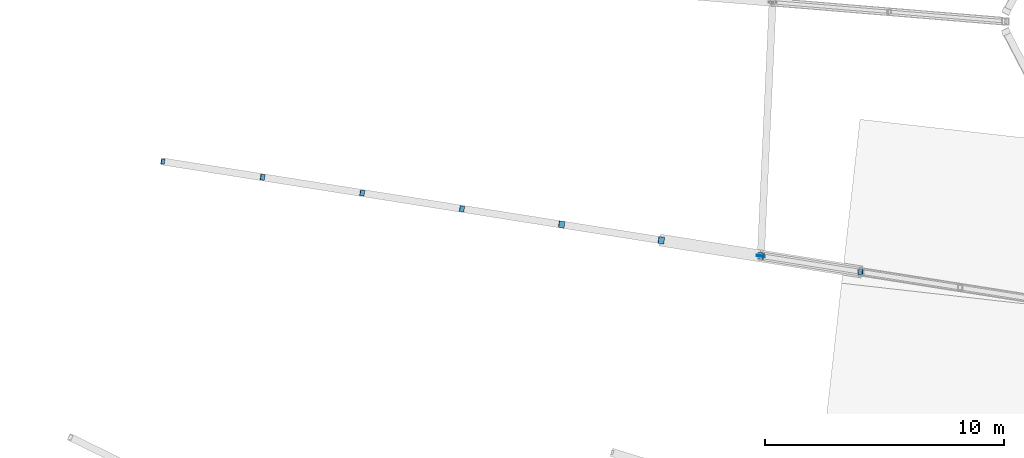
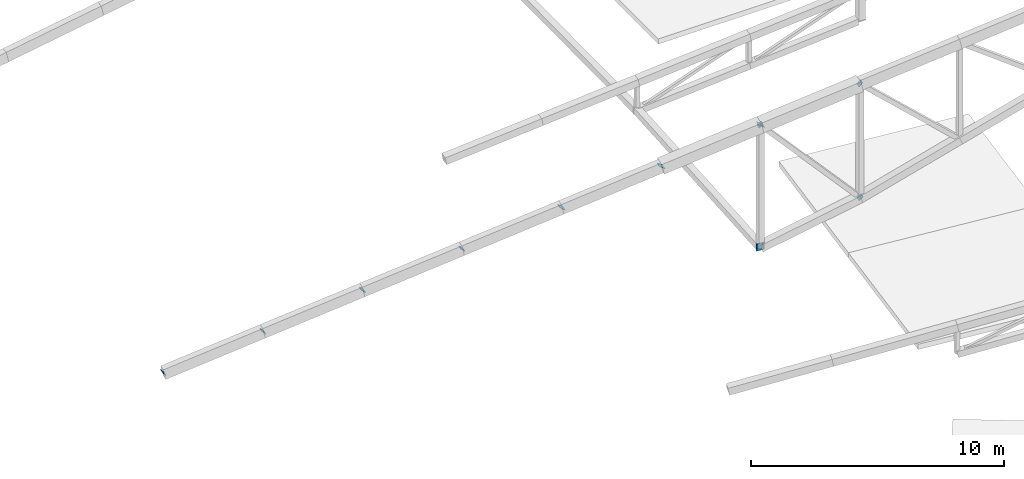
# One storey, part 146 of 188: 12 discrete accessories.
"""IFC4 building model written with IfcOpenShell, lengths in metres."""

from ifc_helpers import new_model, si_unit, direction, frame, origin, origin_2d, place, context, subcontext, project, spatial, rectangle, extrude, material, material_profile, profile_set, type_object, element, save


model = new_model("IFC4")

# Units and contexts
model_context = context("Model", 3, precision=1e-05, world=origin(), true_north=direction((0.0, 1.0)))
body_context = subcontext(model_context, "Body", "Model", "MODEL_VIEW")
ifc_project = project(units=[si_unit("LENGTHUNIT", "METRE"), si_unit("AREAUNIT", "SQUARE_METRE"), si_unit("VOLUMEUNIT", "CUBIC_METRE"), si_unit("PLANEANGLEUNIT", "RADIAN"), si_unit("MASSUNIT", "GRAM", prefix="KILO")], contexts=[model_context])

# Site, building, storey
site_placement = place(None, origin())
site = spatial("IfcSite", under=ifc_project, at=site_placement, CompositionType="ELEMENT")
building_placement = place(site_placement, origin())
building = spatial("IfcBuilding", under=site, at=building_placement, Name="Meseta Stadium", CompositionType="ELEMENT")
storey_placement = place(building_placement, frame((0.0, 0.0, 30.0)))
storey = spatial("IfcBuildingStorey", under=building, at=storey_placement, Name="ROOF", CompositionType="ELEMENT", Elevation=30.0)

# Discrete accessories
ifc_material_1 = material(Name="Steel S355", Category="steel")
ifc_material_profile_1 = material_profile(ifc_material_1, rectangle(XDim=0.219970703125, YDim=0.219970703125, at=origin_2d()), Name="PL 220x220")
ifc_profile_set_1 = profile_set([ifc_material_profile_1], Name="Steel S355")
discrete_accessory_type_1 = type_object("IfcDiscreteAccessoryType", Name="End plate 220x220x20", PredefinedType="ANCHORPLATE", material=ifc_profile_set_1)
discrete_accessory_1_placement = place(storey_placement, frame((59.340576171875, -49.61083984375, 1.05810546875), z_axis=(0.765508489954, -0.12150928412, 0.631848277422), x_axis=(0.156767544201, 0.987635528464, 0.0)))
element("IfcDiscreteAccessory", 1, at=discrete_accessory_1_placement, inside=storey, type_object=discrete_accessory_type_1, Name="End plate of ROOF TRUSS RT-00 diagonal", PredefinedType="ANCHORPLATE", context=body_context, shape_type="SweptSolid", body=[
    extrude(rectangle(XDim=0.219970703125, YDim=0.219970703125, at=origin_2d()), origin(), (0.0, 0.0, 1.0), 0.02001953125),
])
ifc_material_2 = material(Name="Steel S355", Category="steel")
ifc_material_profile_2 = material_profile(ifc_material_2, rectangle(XDim=0.239990234375, YDim=0.239990234375, at=origin_2d()), Name="PL 240x240")
ifc_profile_set_2 = profile_set([ifc_material_profile_2], Name="Steel S355")
discrete_accessory_type_2 = type_object("IfcDiscreteAccessoryType", Name="End plate 240x240x20", PredefinedType="ANCHORPLATE", material=ifc_profile_set_2)
discrete_accessory_2_placement = place(storey_placement, frame((63.51123046875, -50.27001953125, 1.99560546875), z_axis=(0.714960499205, -0.110942146428, 0.690306688887), x_axis=(0.153337329832, 0.988173903359, 0.0)))
element("IfcDiscreteAccessory", 2, at=discrete_accessory_2_placement, inside=storey, type_object=discrete_accessory_type_2, Name="End plate of ROOF TRUSS RT-00 diagonal", PredefinedType="ANCHORPLATE", context=body_context, shape_type="SweptSolid", body=[
    extrude(rectangle(XDim=0.239990234375, YDim=0.239990234375, at=origin_2d()), origin(), (0.0, 0.0, 1.0), 0.019775390625),
])
for number, where, z_axis, x_axis, name in (
    (3, (67.681640625, -50.928955078125, 2.93310546875), (0.671631280833, -0.1099033005, 0.73268867), (0.161488568111, 0.986874582898, 0.0), "End plate of ROOF TRUSS RT-00 diagonal"),
    (4, (71.85205078125, -51.588134765625, 3.87060546875), (0.633534208227, -0.097466801266, 0.767551059967), (0.152057184254, 0.988371697651, 0.0), "End plate of ROOF TRUSS RT-00 diagonal"),
    (5, (84.349853515625, -53.563232421875, 6.697998046875), (0.671631280833, -0.1099033005, -0.73268867), (0.161488568111, 0.986874582898, 0.0), "End plate of ROOF TRUSS RT-00 diagonal"),
    (6, (88.535400390625, -54.224853515625, 2.121337890625), (0.672484210006, -0.097815885092, -0.733619138188), (0.143939845714, 0.989586439285, 0.0), "End plate of ROOF TRUSS RT-00 diagonal"),
    (7, (88.5205078125, -54.222412109375, 7.634521484375), (0.743184359651, -0.121833501582, -0.657900908544), (0.161775027066, 0.986827665106, 0.0), "End plate of ROOF TRUSS RT-00 diagonal"),
):
    element("IfcDiscreteAccessory", number, at=place(storey_placement, frame(where, z_axis=z_axis, x_axis=x_axis)), inside=storey, type_object=discrete_accessory_type_2, Name=name, PredefinedType="ANCHORPLATE", context=body_context, shape_type="SweptSolid", body=[
        extrude(rectangle(XDim=0.239990234375, YDim=0.239990234375, at=origin_2d()), origin(), (0.0, 0.0, 1.0), 0.02001953125),
    ])
ifc_material_3 = material(Name="Steel S355", Category="steel")
ifc_material_profile_3 = material_profile(ifc_material_3, rectangle(XDim=0.2900390625, YDim=0.2900390625, at=origin_2d()), Name="PL 290x290")
ifc_profile_set_3 = profile_set([ifc_material_profile_3], Name="Steel S355")
discrete_accessory_type_3 = type_object("IfcDiscreteAccessoryType", Name="End plate 290x290x20", PredefinedType="ANCHORPLATE", material=ifc_profile_set_3)
for number, where, z_axis, x_axis, name in (
    (8, (76.0224609375, -52.247314453125, 4.808349609375), (0.599750260135, -0.085678608591, 0.795587079771), (0.141421356237, 0.989949493661, 0.0), "End plate of ROOF TRUSS RT-00 diagonal"),
    (9, (80.19287109375, -52.90625, 5.745849609375), (0.563918618238, -0.085813702775, 0.821359726564), (0.150441996986, 0.98861883734, 0.0), "End plate of ROOF TRUSS RT-00 diagonal"),
    (10, (84.36328125, -53.5654296875, 6.683349609375), (0.535709697438, -0.085226542774, 0.840090207346), (0.157115048735, 0.987580306335, 0.0), "End plate of ROOF TRUSS RT-00 diagonal"),
):
    element("IfcDiscreteAccessory", number, at=place(storey_placement, frame(where, z_axis=z_axis, x_axis=x_axis)), inside=storey, type_object=discrete_accessory_type_3, Name=name, PredefinedType="ANCHORPLATE", context=body_context, shape_type="SweptSolid", body=[
        extrude(rectangle(XDim=0.2900390625, YDim=0.2900390625, at=origin_2d()), origin(), (0.0, 0.0, 1.0), 0.02001953125),
    ])
ifc_material_4 = material(Name="Steel S355", Category="steel")
ifc_material_profile_4 = material_profile(ifc_material_4, rectangle(XDim=0.340087890625, YDim=0.340087890625, at=origin_2d()), Name="PL 340x340")
ifc_profile_set_4 = profile_set([ifc_material_profile_4], Name="Steel S355")
discrete_accessory_type_4 = type_object("IfcDiscreteAccessoryType", Name="End plate 340x340x20", PredefinedType="ANCHORPLATE", material=ifc_profile_set_4)
for number, where, z_axis, x_axis, name in (
    (11, (84.3623046875, -53.58544921875, 0.800048828125), (0.048722553713, 0.998812351125, 0.0), (-0.998812351125, 0.048722553713, 0.0), "End plate of ROOF PIVOT STRUT RT-00/01"),
    (12, (84.36328125, -53.5654296875, 0.800048828125), (0.231004106598, 0.972648869888, 0.024316221747), (-0.97293655072, 0.231072430796, 0.0), "End plate of ROOF PIVOT STRUT RT-55/00"),
):
    element("IfcDiscreteAccessory", number, at=place(storey_placement, frame(where, z_axis=z_axis, x_axis=x_axis)), inside=storey, type_object=discrete_accessory_type_4, Name=name, PredefinedType="ANCHORPLATE", context=body_context, shape_type="SweptSolid", body=[
        extrude(rectangle(XDim=0.340087890625, YDim=0.340087890625, at=origin_2d()), origin(), (0.0, 0.0, 1.0), 0.02001953125),
    ])

save(model, "model.ifc")
